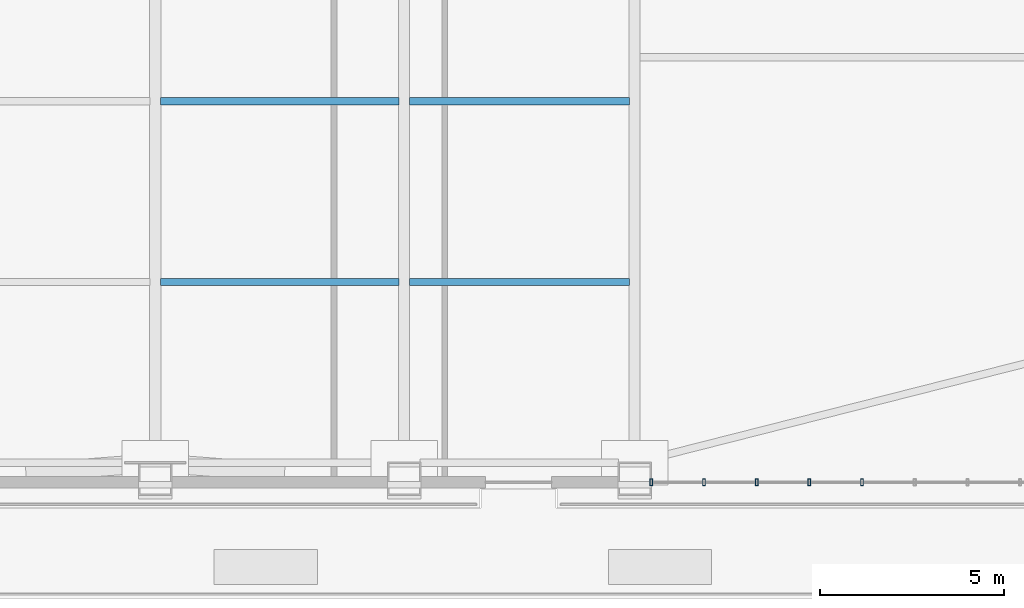
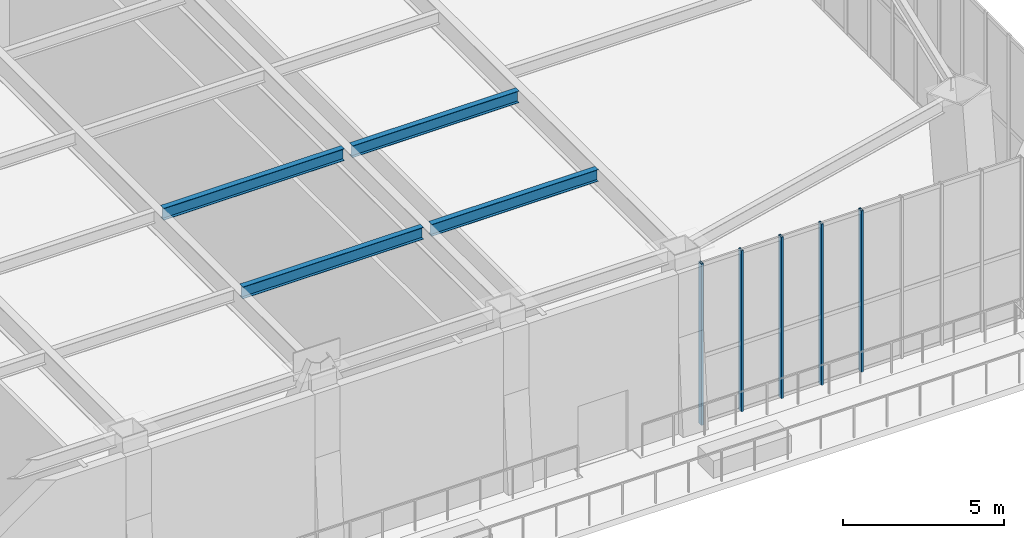
# One storey, part 7 of 22: 5 members, 4 beams, 1 element without a shape of its own.
"""IFC4 building model written with IfcOpenShell, lengths in metres."""

from ifc_helpers import new_model, si_unit, direction, frame, origin, origin_2d, place, context, subcontext, project, spatial, hollow_rectangle, i_section, extrude, source, transform, mapped, material, layer, layer_set, material_profile, profile_set, type_object, element, aggregate, save


model = new_model("IFC4")

# Units and contexts
model_context = context("Model", 3, precision=1e-05, world=origin(), true_north=direction((0.0, 1.0)))
body_context = subcontext(model_context, "Body", "Model", "MODEL_VIEW")
ifc_project = project(units=[si_unit("LENGTHUNIT", "METRE"), si_unit("AREAUNIT", "SQUARE_METRE"), si_unit("VOLUMEUNIT", "CUBIC_METRE"), si_unit("PLANEANGLEUNIT", "RADIAN"), si_unit("MASSUNIT", "GRAM", prefix="KILO")], contexts=[model_context])

# Site, building, storey
site_placement = place(None, origin())
site = spatial("IfcSite", under=ifc_project, at=site_placement, CompositionType="ELEMENT")
building_placement = place(site_placement, origin())
building = spatial("IfcBuilding", under=site, at=building_placement, Name="Giltprow Tower", CompositionType="ELEMENT")
storey_placement = place(building_placement, frame((0.0, 0.0, 130.89990234375)))
storey = spatial("IfcBuildingStorey", under=building, at=storey_placement, Name="L32", CompositionType="ELEMENT", Elevation=130.89990234375)

# Beams
ifc_material_1 = material(Name="Structural steel Q355B", Category="steel")
ifc_material_profile_1 = material_profile(ifc_material_1, i_section(OverallWidth=0.199951171875, OverallDepth=0.449951171875, WebThickness=0.009033203125, FlangeThickness=0.013916015625, at=origin_2d()), Name="HN 450x200x9x14")
ifc_profile_set_1 = profile_set([ifc_material_profile_1], Name="Structural steel Q355B")
beam_type = type_object("IfcBeamType", Name="BM-JOIST-HN450", PredefinedType="JOIST", material=ifc_profile_set_1)
shared_shape_1 = source(origin(), body_context, "Body", "SweptSolid", [
    extrude(i_section(OverallWidth=0.199951171875, OverallDepth=0.449951171875, WebThickness=0.009033203125, FlangeThickness=0.013916015625, at=origin_2d()), origin(), (0.0, 0.0, 1.0), 6.4599609375),
])
for number, where, z_axis, x_axis, name in (
    (1, (37.695068359375, 12.946044921875, 6.34521484375), (1.0, 0.0, 0.0), (0.0, 1.0, 0.0), "L32 Composite Floor Joist 1-3"),
    (2, (37.695068359375, 17.846923828125, 6.34521484375), (1.0, 0.0, 0.0), (0.0, 1.0, 0.0), "L32 Composite Floor Joist 2-3"),
):
    element("IfcBeam", number, at=place(storey_placement, frame(where, z_axis=z_axis, x_axis=x_axis)), inside=storey, type_object=beam_type, Name=name, PredefinedType="JOIST", context=body_context, shape_type="MappedRepresentation", body=[
        mapped(shared_shape_1, transform((0.0, 0.0, 0.0), x_axis=(1.0, 0.0, 0.0), y_axis=(0.0, 1.0, 0.0), z_axis=(0.0, 0.0, 1.0), scale=1.0)),
    ])
shared_shape_2 = source(origin(), body_context, "Body", "SweptSolid", [
    extrude(i_section(OverallWidth=0.199951171875, OverallDepth=0.449951171875, WebThickness=0.009033203125, FlangeThickness=0.013916015625, at=origin_2d()), origin(), (0.0, 0.0, 1.0), 5.9599609375),
])
for number, where, z_axis, x_axis, name in (
    (3, (44.445068359375, 12.946044921875, 6.34521484375), (1.0, 0.0, 0.0), (0.0, 1.0, 0.0), "L32 Composite Floor Joist 1-4"),
    (4, (44.445068359375, 17.846923828125, 6.34521484375), (1.0, 0.0, 0.0), (0.0, 1.0, 0.0), "L32 Composite Floor Joist 2-4"),
):
    element("IfcBeam", number, at=place(storey_placement, frame(where, z_axis=z_axis, x_axis=x_axis)), inside=storey, type_object=beam_type, Name=name, PredefinedType="JOIST", context=body_context, shape_type="MappedRepresentation", body=[
        mapped(shared_shape_2, transform((0.0, 0.0, 0.0), x_axis=(1.0, 0.0, 0.0), y_axis=(0.0, 1.0, 0.0), z_axis=(0.0, 0.0, 1.0), scale=1.0)),
    ])

# Curtain wall, members
ifc_material_2 = material(Name="Anodized bronze", Category="metal")
ifc_layer = layer(ifc_material_2, 0.179931640625, Name="Anodized bronze")
ifc_layer_set = layer_set([ifc_layer], Name="Anodized bronze")
curtain_wall_type = type_object("IfcCurtainWallType", Name="CW-SKYGARDEN", PredefinedType="NOTDEFINED", material=ifc_layer_set)
curtain_wall_placement = place(storey_placement, origin())
curtain_wall = element("IfcCurtainWall", 5, at=curtain_wall_placement, inside=storey, type_object=curtain_wall_type, Name="L32 South Recessed Curtain Wall 6", PredefinedType="NOTDEFINED")
ifc_material_profile_2 = material_profile(ifc_material_2, hollow_rectangle(XDim=0.074951171875, YDim=0.179931640625, WallThickness=0.008056640625, at=origin_2d()), Name="RHS 180x75x8")
ifc_profile_set_2 = profile_set([ifc_material_profile_2], Name="Anodized bronze")
member_type = type_object("IfcMemberType", Name="CW-MULLION-180x75", PredefinedType="MULLION", material=ifc_profile_set_2)
shared_shape_3 = source(origin(), body_context, "Body", "SweptSolid", [
    extrude(hollow_rectangle(XDim=0.074951171875, YDim=0.179931640625, WallThickness=0.008056640625, at=origin_2d()), origin(), (0.0, 0.0, 1.0), 6.105224609375),
])
member_1_placement = place(storey_placement, frame((51.0, 7.51806640625, -0.02001953125), z_axis=(0.0, 0.0, 1.0), x_axis=(1.0, 0.0, 0.0)))
member_1 = element("IfcMember", 6, at=member_1_placement, type_object=member_type, Name="L32 South Recessed Curtain Wall 6 Mullion 1", PredefinedType="MULLION", context=body_context, shape_type="MappedRepresentation", body=[
    mapped(shared_shape_3, transform((0.0, 0.0, 0.0), x_axis=(1.0, 0.0, 0.0), y_axis=(0.0, 1.0, 0.0), z_axis=(0.0, 0.0, 1.0), scale=1.0)),
])
member_2_placement = place(storey_placement, frame((52.428955078125, 7.51806640625, -0.02001953125), z_axis=(0.0, 0.0, 1.0), x_axis=(1.0, 0.0, 0.0)))
member_2 = element("IfcMember", 7, at=member_2_placement, type_object=member_type, Name="L32 South Recessed Curtain Wall 6 Mullion 2", PredefinedType="MULLION", context=body_context, shape_type="MappedRepresentation", body=[
    mapped(shared_shape_3, transform((0.0, 0.0, 0.0), x_axis=(1.0, 0.0, 0.0), y_axis=(0.0, 1.0, 0.0), z_axis=(0.0, 0.0, 1.0), scale=1.0)),
])
member_3_placement = place(storey_placement, frame((53.85791015625, 7.51806640625, -0.02001953125), z_axis=(0.0, 0.0, 1.0), x_axis=(1.0, 0.0, 0.0)))
member_3 = element("IfcMember", 8, at=member_3_placement, type_object=member_type, Name="L32 South Recessed Curtain Wall 6 Mullion 3", PredefinedType="MULLION", context=body_context, shape_type="MappedRepresentation", body=[
    mapped(shared_shape_3, transform((0.0, 0.0, 0.0), x_axis=(1.0, 0.0, 0.0), y_axis=(0.0, 1.0, 0.0), z_axis=(0.0, 0.0, 1.0), scale=1.0)),
])
member_4_placement = place(storey_placement, frame((55.285888671875, 7.51806640625, -0.02001953125), z_axis=(0.0, 0.0, 1.0), x_axis=(1.0, 0.0, 0.0)))
member_4 = element("IfcMember", 9, at=member_4_placement, type_object=member_type, Name="L32 South Recessed Curtain Wall 6 Mullion 4", PredefinedType="MULLION", context=body_context, shape_type="MappedRepresentation", body=[
    mapped(shared_shape_3, transform((0.0, 0.0, 0.0), x_axis=(1.0, 0.0, 0.0), y_axis=(0.0, 1.0, 0.0), z_axis=(0.0, 0.0, 1.0), scale=1.0)),
])
member_5_placement = place(storey_placement, frame((56.715087890625, 7.51806640625, -0.02001953125), z_axis=(0.0, 0.0, 1.0), x_axis=(1.0, 0.0, 0.0)))
member_5 = element("IfcMember", 10, at=member_5_placement, type_object=member_type, Name="L32 South Recessed Curtain Wall 6 Mullion 5", PredefinedType="MULLION", context=body_context, shape_type="MappedRepresentation", body=[
    mapped(shared_shape_3, transform((0.0, 0.0, 0.0), x_axis=(1.0, 0.0, 0.0), y_axis=(0.0, 1.0, 0.0), z_axis=(0.0, 0.0, 1.0), scale=1.0)),
])
aggregate(curtain_wall, [member_1, member_2, member_3, member_4, member_5])

save(model, "model.ifc")
